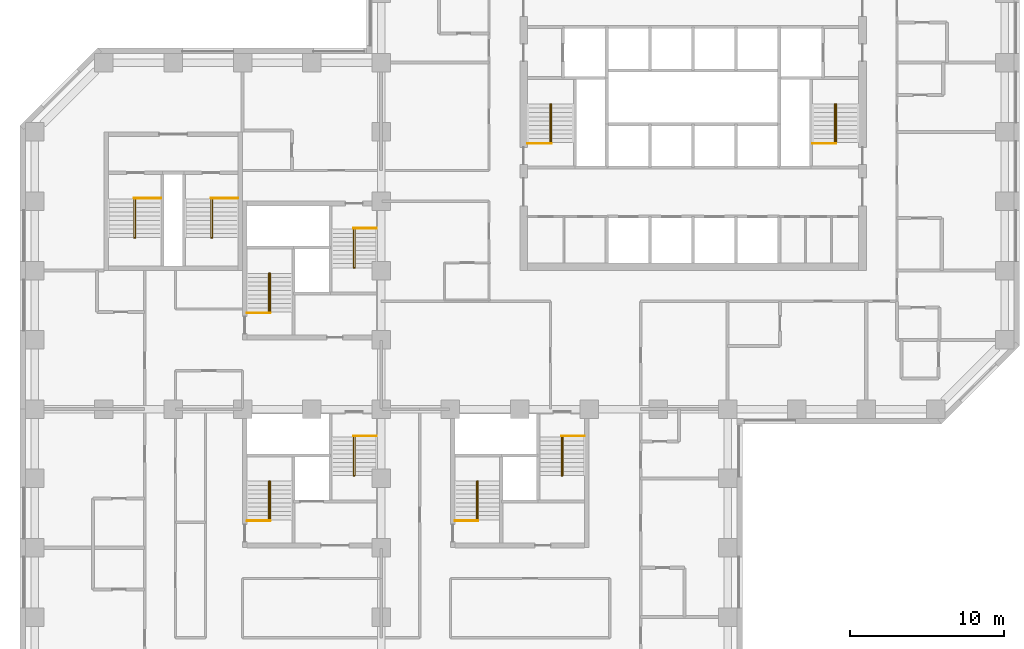
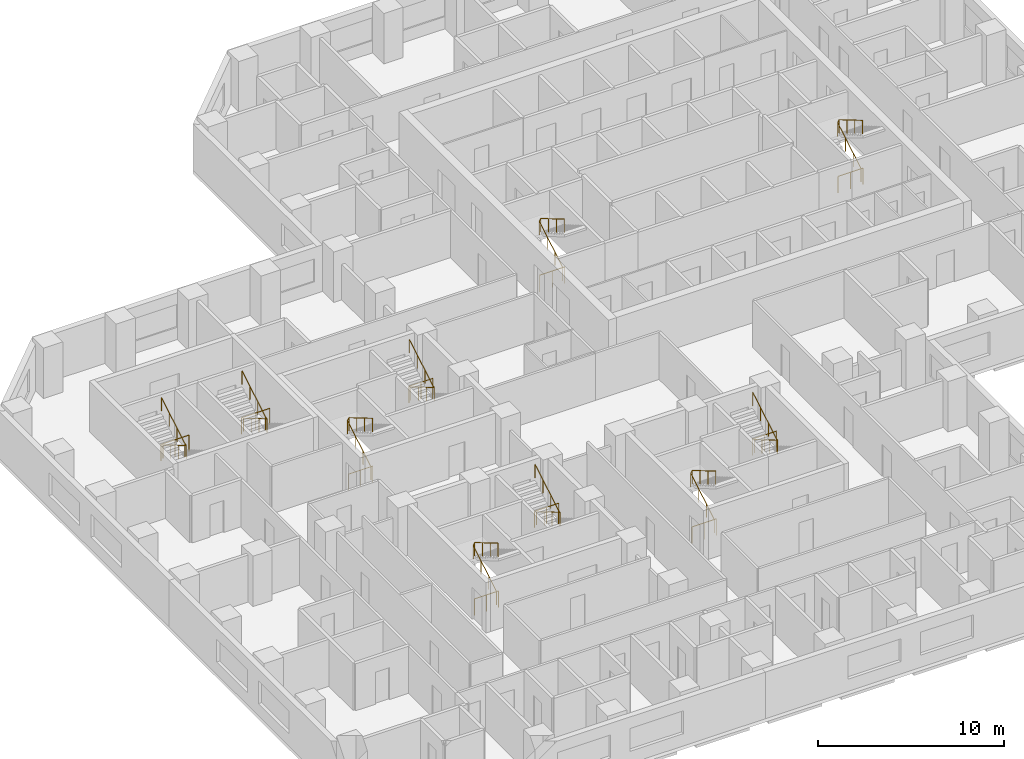
# One storey, part 12 of 12: 20 railings.
"""IFC4 building model written with IfcOpenShell, lengths in metres."""

from ifc_helpers import new_model, si_unit, direction, frame, origin, origin_2d, place, context, subcontext, project, spatial, circle, extrude, material, type_object, element, save


model = new_model("IFC4")

# Units and contexts
model_context = context("Model", 3, precision=1e-05, world=origin(), true_north=direction((0.0, 1.0)))
body_context = subcontext(model_context, "Body", "Model", "MODEL_VIEW")
ifc_project = project(units=[si_unit("LENGTHUNIT", "METRE"), si_unit("AREAUNIT", "SQUARE_METRE"), si_unit("VOLUMEUNIT", "CUBIC_METRE"), si_unit("PLANEANGLEUNIT", "RADIAN"), si_unit("MASSUNIT", "GRAM", prefix="KILO")], contexts=[model_context])

# Site, building, storey
site_placement = place(None, origin())
site = spatial("IfcSite", under=ifc_project, at=site_placement, CompositionType="ELEMENT")
building_placement = place(site_placement, origin())
building = spatial("IfcBuilding", under=site, at=building_placement, Name="Quoin Convention Tower", CompositionType="ELEMENT")
storey_placement = place(building_placement, frame((0.0, 0.0, 29.699951171875)))
storey = spatial("IfcBuildingStorey", under=building, at=storey_placement, Name="L06", CompositionType="ELEMENT", Elevation=29.699951171875)

# Railings
ifc_material = material(Name="Stainless steel", Category="steel")
railing_type_1 = type_object("IfcRailingType", Name="Stair handrail 900", PredefinedType="HANDRAIL", material=ifc_material)
for number, where, name in (
    (1, (46.955078125, 57.800048828125, 0.1650390625), "SD1 handrail 1"),
    (2, (65.455078125, 57.800048828125, 0.1650390625), "SD2 handrail 1"),
    (3, (28.705078125, 46.800048828125, 0.1650390625), "SD3 handrail 1"),
):
    element("IfcRailing", number, at=place(storey_placement, frame(where)), inside=storey, type_object=railing_type_1, Name=name, PredefinedType="HANDRAIL", context=body_context, shape_type="SweptSolid", body=[
        extrude(circle(Radius=0.02392578125, at=origin_2d()), frame((0.0, 0.0, 0.8759765625), z_axis=(0.0, 0.86152411907, 0.507716645641), x_axis=(-1.0, 0.0, 0.0)), (0.0, 0.0, 1.0), 2.925048828125),
        extrude(circle(Radius=0.02392578125, at=origin_2d()), frame((0.0, 2.52001953125, 2.36083984375), z_axis=(0.478669852, 0.0, 0.877994973098), x_axis=(0.0, 1.0, 0.0)), (0.0, 0.0, 1.0), 0.187744140625),
        extrude(circle(Radius=0.02392578125, at=origin_2d()), frame((0.08984375, 2.52001953125, 2.52587890625), z_axis=(0.0, -0.86152411907, 0.507716645641), x_axis=(1.0, 0.0, 0.0)), (0.0, 0.0, 1.0), 2.925048828125),
        extrude(circle(Radius=0.02099609375, at=origin_2d()), origin(), (0.0, 0.0, 1.0), 0.851806640625),
        extrude(circle(Radius=0.02099609375, at=origin_2d()), frame((0.0, 0.840087890625, 0.4951171875)), (0.0, 0.0, 1.0), 0.851806640625),
        extrude(circle(Radius=0.02099609375, at=origin_2d()), frame((0.0, 1.679931640625, 0.989990234375)), (0.0, 0.0, 1.0), 0.851806640625),
        extrude(circle(Radius=0.02099609375, at=origin_2d()), frame((0.0, 2.52001953125, 1.485107421875)), (0.0, 0.0, 1.0), 0.851806640625),
        extrude(circle(Radius=0.02099609375, at=origin_2d()), frame((0.08984375, 2.52001953125, 1.64990234375)), (0.0, 0.0, 1.0), 0.851806640625),
        extrude(circle(Radius=0.02099609375, at=origin_2d()), frame((0.08984375, 1.679931640625, 2.14501953125)), (0.0, 0.0, 1.0), 0.851806640625),
        extrude(circle(Radius=0.02099609375, at=origin_2d()), frame((0.08984375, 0.840087890625, 2.639892578125)), (0.0, 0.0, 1.0), 0.851806640625),
        extrude(circle(Radius=0.02099609375, at=origin_2d()), frame((0.08984375, 0.0, 3.135009765625)), (0.0, 0.0, 1.0), 0.851806640625),
    ])
railing_1_placement = place(storey_placement, frame((34.294921875, 52.199951171875, 0.1650390625)))
element("IfcRailing", 4, at=railing_1_placement, inside=storey, type_object=railing_type_1, Name="SD4 handrail 1", PredefinedType="HANDRAIL", context=body_context, shape_type="SweptSolid", body=[
    extrude(circle(Radius=0.02392578125, at=origin_2d()), frame((0.0, 0.0, 0.8759765625), z_axis=(0.0, -0.86152411907, 0.507716645641), x_axis=(1.0, 0.0, 0.0)), (0.0, 0.0, 1.0), 2.925048828125),
    extrude(circle(Radius=0.02392578125, at=origin_2d()), frame((0.0, -2.52001953125, 2.36083984375), z_axis=(-0.478669852, 0.0, 0.877994973098), x_axis=(0.0, -1.0, 0.0)), (0.0, 0.0, 1.0), 0.187744140625),
    extrude(circle(Radius=0.02392578125, at=origin_2d()), frame((-0.08984375, -2.52001953125, 2.52587890625), z_axis=(0.0, 0.86152411907, 0.507716645641), x_axis=(-1.0, 0.0, 0.0)), (0.0, 0.0, 1.0), 2.925048828125),
    extrude(circle(Radius=0.02099609375, at=origin_2d()), origin(), (0.0, 0.0, 1.0), 0.851806640625),
    extrude(circle(Radius=0.02099609375, at=origin_2d()), frame((0.0, -0.840087890625, 0.4951171875)), (0.0, 0.0, 1.0), 0.851806640625),
    extrude(circle(Radius=0.02099609375, at=origin_2d()), frame((0.0, -1.679931640625, 0.989990234375)), (0.0, 0.0, 1.0), 0.851806640625),
    extrude(circle(Radius=0.02099609375, at=origin_2d()), frame((0.0, -2.52001953125, 1.485107421875)), (0.0, 0.0, 1.0), 0.851806640625),
    extrude(circle(Radius=0.02099609375, at=origin_2d()), frame((-0.08984375, -2.52001953125, 1.64990234375)), (0.0, 0.0, 1.0), 0.851806640625),
    extrude(circle(Radius=0.02099609375, at=origin_2d()), frame((-0.08984375, -1.679931640625, 2.14501953125)), (0.0, 0.0, 1.0), 0.851806640625),
    extrude(circle(Radius=0.02099609375, at=origin_2d()), frame((-0.08984375, -0.840087890625, 2.639892578125)), (0.0, 0.0, 1.0), 0.851806640625),
    extrude(circle(Radius=0.02099609375, at=origin_2d()), frame((-0.08984375, 0.0, 3.135009765625)), (0.0, 0.0, 1.0), 0.851806640625),
])
railing_2_placement = place(storey_placement, frame((42.205078125, 33.300048828125, 0.1650390625)))
element("IfcRailing", 5, at=railing_2_placement, inside=storey, type_object=railing_type_1, Name="SD5 handrail 1", PredefinedType="HANDRAIL", context=body_context, shape_type="SweptSolid", body=[
    extrude(circle(Radius=0.02392578125, at=origin_2d()), frame((0.0, 0.0, 0.8759765625), z_axis=(0.0, 0.86152411907, 0.507716645641), x_axis=(-1.0, 0.0, 0.0)), (0.0, 0.0, 1.0), 2.925048828125),
    extrude(circle(Radius=0.02392578125, at=origin_2d()), frame((0.0, 2.52001953125, 2.36083984375), z_axis=(0.478669852, 0.0, 0.877994973098), x_axis=(0.0, 1.0, 0.0)), (0.0, 0.0, 1.0), 0.187744140625),
    extrude(circle(Radius=0.02392578125, at=origin_2d()), frame((0.08984375, 2.52001953125, 2.52587890625), z_axis=(0.0, -0.86152411907, 0.507716645641), x_axis=(1.0, 0.0, 0.0)), (0.0, 0.0, 1.0), 2.925048828125),
    extrude(circle(Radius=0.02099609375, at=origin_2d()), origin(), (0.0, 0.0, 1.0), 0.851806640625),
    extrude(circle(Radius=0.02099609375, at=origin_2d()), frame((0.0, 0.840087890625, 0.4951171875)), (0.0, 0.0, 1.0), 0.851806640625),
    extrude(circle(Radius=0.02099609375, at=origin_2d()), frame((0.0, 1.679931640625, 0.989990234375)), (0.0, 0.0, 1.0), 0.851806640625),
    extrude(circle(Radius=0.02099609375, at=origin_2d()), frame((0.0, 2.52001953125, 1.485107421875)), (0.0, 0.0, 1.0), 0.851806640625),
    extrude(circle(Radius=0.02099609375, at=origin_2d()), frame((0.08984375, 2.52001953125, 1.64990234375)), (0.0, 0.0, 1.0), 0.851806640625),
    extrude(circle(Radius=0.02099609375, at=origin_2d()), frame((0.08984375, 1.679931640625, 2.14501953125)), (0.0, 0.0, 1.0), 0.851806640625),
    extrude(circle(Radius=0.02099609375, at=origin_2d()), frame((0.08984375, 0.840087890625, 2.639892578125)), (0.0, 0.0, 1.0), 0.851806640625),
    extrude(circle(Radius=0.02099609375, at=origin_2d()), frame((0.08984375, 0.0, 3.135009765625)), (0.0, 0.0, 1.0), 0.851806640625),
])
railing_3_placement = place(storey_placement, frame((47.794921875, 38.699951171875, 0.1650390625)))
element("IfcRailing", 6, at=railing_3_placement, inside=storey, type_object=railing_type_1, Name="SD6 handrail 1", PredefinedType="HANDRAIL", context=body_context, shape_type="SweptSolid", body=[
    extrude(circle(Radius=0.02392578125, at=origin_2d()), frame((0.0, 0.0, 0.8759765625), z_axis=(0.0, -0.86152411907, 0.507716645641), x_axis=(1.0, 0.0, 0.0)), (0.0, 0.0, 1.0), 2.925048828125),
    extrude(circle(Radius=0.02392578125, at=origin_2d()), frame((0.0, -2.52001953125, 2.36083984375), z_axis=(-0.478669852, 0.0, 0.877994973098), x_axis=(0.0, -1.0, 0.0)), (0.0, 0.0, 1.0), 0.187744140625),
    extrude(circle(Radius=0.02392578125, at=origin_2d()), frame((-0.08984375, -2.52001953125, 2.52587890625), z_axis=(0.0, 0.86152411907, 0.507716645641), x_axis=(-1.0, 0.0, 0.0)), (0.0, 0.0, 1.0), 2.925048828125),
    extrude(circle(Radius=0.02099609375, at=origin_2d()), origin(), (0.0, 0.0, 1.0), 0.851806640625),
    extrude(circle(Radius=0.02099609375, at=origin_2d()), frame((0.0, -0.840087890625, 0.4951171875)), (0.0, 0.0, 1.0), 0.851806640625),
    extrude(circle(Radius=0.02099609375, at=origin_2d()), frame((0.0, -1.679931640625, 0.989990234375)), (0.0, 0.0, 1.0), 0.851806640625),
    extrude(circle(Radius=0.02099609375, at=origin_2d()), frame((0.0, -2.52001953125, 1.485107421875)), (0.0, 0.0, 1.0), 0.851806640625),
    extrude(circle(Radius=0.02099609375, at=origin_2d()), frame((-0.08984375, -2.52001953125, 1.64990234375)), (0.0, 0.0, 1.0), 0.851806640625),
    extrude(circle(Radius=0.02099609375, at=origin_2d()), frame((-0.08984375, -1.679931640625, 2.14501953125)), (0.0, 0.0, 1.0), 0.851806640625),
    extrude(circle(Radius=0.02099609375, at=origin_2d()), frame((-0.08984375, -0.840087890625, 2.639892578125)), (0.0, 0.0, 1.0), 0.851806640625),
    extrude(circle(Radius=0.02099609375, at=origin_2d()), frame((-0.08984375, 0.0, 3.135009765625)), (0.0, 0.0, 1.0), 0.851806640625),
])
railing_4_placement = place(storey_placement, frame((28.705078125, 33.300048828125, 0.1650390625)))
element("IfcRailing", 7, at=railing_4_placement, inside=storey, type_object=railing_type_1, Name="SD7 handrail 1", PredefinedType="HANDRAIL", context=body_context, shape_type="SweptSolid", body=[
    extrude(circle(Radius=0.02392578125, at=origin_2d()), frame((0.0, 0.0, 0.8759765625), z_axis=(0.0, 0.86152411907, 0.507716645641), x_axis=(-1.0, 0.0, 0.0)), (0.0, 0.0, 1.0), 2.925048828125),
    extrude(circle(Radius=0.02392578125, at=origin_2d()), frame((0.0, 2.52001953125, 2.36083984375), z_axis=(0.478669852, 0.0, 0.877994973098), x_axis=(0.0, 1.0, 0.0)), (0.0, 0.0, 1.0), 0.187744140625),
    extrude(circle(Radius=0.02392578125, at=origin_2d()), frame((0.08984375, 2.52001953125, 2.52587890625), z_axis=(0.0, -0.86152411907, 0.507716645641), x_axis=(1.0, 0.0, 0.0)), (0.0, 0.0, 1.0), 2.925048828125),
    extrude(circle(Radius=0.02099609375, at=origin_2d()), origin(), (0.0, 0.0, 1.0), 0.851806640625),
    extrude(circle(Radius=0.02099609375, at=origin_2d()), frame((0.0, 0.840087890625, 0.4951171875)), (0.0, 0.0, 1.0), 0.851806640625),
    extrude(circle(Radius=0.02099609375, at=origin_2d()), frame((0.0, 1.679931640625, 0.989990234375)), (0.0, 0.0, 1.0), 0.851806640625),
    extrude(circle(Radius=0.02099609375, at=origin_2d()), frame((0.0, 2.52001953125, 1.485107421875)), (0.0, 0.0, 1.0), 0.851806640625),
    extrude(circle(Radius=0.02099609375, at=origin_2d()), frame((0.08984375, 2.52001953125, 1.64990234375)), (0.0, 0.0, 1.0), 0.851806640625),
    extrude(circle(Radius=0.02099609375, at=origin_2d()), frame((0.08984375, 1.679931640625, 2.14501953125)), (0.0, 0.0, 1.0), 0.851806640625),
    extrude(circle(Radius=0.02099609375, at=origin_2d()), frame((0.08984375, 0.840087890625, 2.639892578125)), (0.0, 0.0, 1.0), 0.851806640625),
    extrude(circle(Radius=0.02099609375, at=origin_2d()), frame((0.08984375, 0.0, 3.135009765625)), (0.0, 0.0, 1.0), 0.851806640625),
])
for number, where, name in (
    (8, (34.294921875, 38.699951171875, 0.1650390625), "SD8 handrail 1"),
    (9, (20.044921875, 54.14990234375, 0.1650390625), "SD11 handrail 1"),
    (10, (25.044921875, 54.14990234375, 0.1650390625), "SD12 handrail 1"),
):
    element("IfcRailing", number, at=place(storey_placement, frame(where)), inside=storey, type_object=railing_type_1, Name=name, PredefinedType="HANDRAIL", context=body_context, shape_type="SweptSolid", body=[
        extrude(circle(Radius=0.02392578125, at=origin_2d()), frame((0.0, 0.0, 0.8759765625), z_axis=(0.0, -0.86152411907, 0.507716645641), x_axis=(1.0, 0.0, 0.0)), (0.0, 0.0, 1.0), 2.925048828125),
        extrude(circle(Radius=0.02392578125, at=origin_2d()), frame((0.0, -2.52001953125, 2.36083984375), z_axis=(-0.478669852, 0.0, 0.877994973098), x_axis=(0.0, -1.0, 0.0)), (0.0, 0.0, 1.0), 0.187744140625),
        extrude(circle(Radius=0.02392578125, at=origin_2d()), frame((-0.08984375, -2.52001953125, 2.52587890625), z_axis=(0.0, 0.86152411907, 0.507716645641), x_axis=(-1.0, 0.0, 0.0)), (0.0, 0.0, 1.0), 2.925048828125),
        extrude(circle(Radius=0.02099609375, at=origin_2d()), origin(), (0.0, 0.0, 1.0), 0.851806640625),
        extrude(circle(Radius=0.02099609375, at=origin_2d()), frame((0.0, -0.840087890625, 0.4951171875)), (0.0, 0.0, 1.0), 0.851806640625),
        extrude(circle(Radius=0.02099609375, at=origin_2d()), frame((0.0, -1.679931640625, 0.989990234375)), (0.0, 0.0, 1.0), 0.851806640625),
        extrude(circle(Radius=0.02099609375, at=origin_2d()), frame((0.0, -2.52001953125, 1.485107421875)), (0.0, 0.0, 1.0), 0.851806640625),
        extrude(circle(Radius=0.02099609375, at=origin_2d()), frame((-0.08984375, -2.52001953125, 1.64990234375)), (0.0, 0.0, 1.0), 0.851806640625),
        extrude(circle(Radius=0.02099609375, at=origin_2d()), frame((-0.08984375, -1.679931640625, 2.14501953125)), (0.0, 0.0, 1.0), 0.851806640625),
        extrude(circle(Radius=0.02099609375, at=origin_2d()), frame((-0.08984375, -0.840087890625, 2.639892578125)), (0.0, 0.0, 1.0), 0.851806640625),
        extrude(circle(Radius=0.02099609375, at=origin_2d()), frame((-0.08984375, 0.0, 3.135009765625)), (0.0, 0.0, 1.0), 0.851806640625),
    ])
railing_type_2 = type_object("IfcRailingType", Name="Stair top guard 1100", PredefinedType="GUARDRAIL", material=ifc_material)
for number, where, name in (
    (11, (45.5, 57.75, 0.0), "SD1 top guard"),
    (12, (64.0, 57.75, 0.0), "SD2 top guard"),
):
    element("IfcRailing", number, at=place(storey_placement, frame(where)), inside=storey, type_object=railing_type_2, Name=name, PredefinedType="GUARDRAIL", context=body_context, shape_type="SweptSolid", body=[
        extrude(circle(Radius=0.02392578125, at=origin_2d()), frame((0.0, 0.0, 1.076171875), z_axis=(1.0, 0.0, 0.0), x_axis=(0.0, 1.0, 0.0)), (0.0, 0.0, 1.0), 1.544921875),
        extrude(circle(Radius=0.02099609375, at=origin_2d()), origin(), (0.0, 0.0, 1.0), 1.052001953125),
        extrude(circle(Radius=0.02099609375, at=origin_2d()), frame((0.7724609375, 0.0, 0.0)), (0.0, 0.0, 1.0), 1.052001953125),
        extrude(circle(Radius=0.02099609375, at=origin_2d()), frame((1.544921875, 0.0, 0.0)), (0.0, 0.0, 1.0), 1.052001953125),
    ])
railing_5_placement = place(storey_placement, frame((27.300048828125, 46.75, 0.0)))
element("IfcRailing", 13, at=railing_5_placement, inside=storey, type_object=railing_type_2, Name="SD3 top guard", PredefinedType="GUARDRAIL", context=body_context, shape_type="SweptSolid", body=[
    extrude(circle(Radius=0.02392578125, at=origin_2d()), frame((0.0, 0.0, 1.076171875), z_axis=(1.0, 0.0, 0.0), x_axis=(0.0, 1.0, 0.0)), (0.0, 0.0, 1.0), 1.494873046875),
    extrude(circle(Radius=0.02099609375, at=origin_2d()), origin(), (0.0, 0.0, 1.0), 1.052001953125),
    extrude(circle(Radius=0.02099609375, at=origin_2d()), frame((0.74755859375, 0.0, 0.0)), (0.0, 0.0, 1.0), 1.052001953125),
    extrude(circle(Radius=0.02099609375, at=origin_2d()), frame((1.494873046875, 0.0, 0.0)), (0.0, 0.0, 1.0), 1.052001953125),
])
railing_6_placement = place(storey_placement, frame((35.699951171875, 52.25, 0.0)))
element("IfcRailing", 14, at=railing_6_placement, inside=storey, type_object=railing_type_2, Name="SD4 top guard", PredefinedType="GUARDRAIL", context=body_context, shape_type="SweptSolid", body=[
    extrude(circle(Radius=0.02392578125, at=origin_2d()), frame((0.0, 0.0, 1.076171875), z_axis=(-1.0, 0.0, 0.0), x_axis=(0.0, -1.0, 0.0)), (0.0, 0.0, 1.0), 1.494873046875),
    extrude(circle(Radius=0.02099609375, at=origin_2d()), origin(), (0.0, 0.0, 1.0), 1.052001953125),
    extrude(circle(Radius=0.02099609375, at=origin_2d()), frame((-0.74755859375, 0.0, 0.0)), (0.0, 0.0, 1.0), 1.052001953125),
    extrude(circle(Radius=0.02099609375, at=origin_2d()), frame((-1.494873046875, 0.0, 0.0)), (0.0, 0.0, 1.0), 1.052001953125),
])
railing_7_placement = place(storey_placement, frame((40.800048828125, 33.25, 0.0)))
element("IfcRailing", 15, at=railing_7_placement, inside=storey, type_object=railing_type_2, Name="SD5 top guard", PredefinedType="GUARDRAIL", context=body_context, shape_type="SweptSolid", body=[
    extrude(circle(Radius=0.02392578125, at=origin_2d()), frame((0.0, 0.0, 1.076171875), z_axis=(1.0, 0.0, 0.0), x_axis=(0.0, 1.0, 0.0)), (0.0, 0.0, 1.0), 1.494873046875),
    extrude(circle(Radius=0.02099609375, at=origin_2d()), origin(), (0.0, 0.0, 1.0), 1.052001953125),
    extrude(circle(Radius=0.02099609375, at=origin_2d()), frame((0.74755859375, 0.0, 0.0)), (0.0, 0.0, 1.0), 1.052001953125),
    extrude(circle(Radius=0.02099609375, at=origin_2d()), frame((1.494873046875, 0.0, 0.0)), (0.0, 0.0, 1.0), 1.052001953125),
])
railing_8_placement = place(storey_placement, frame((49.199951171875, 38.75, 0.0)))
element("IfcRailing", 16, at=railing_8_placement, inside=storey, type_object=railing_type_2, Name="SD6 top guard", PredefinedType="GUARDRAIL", context=body_context, shape_type="SweptSolid", body=[
    extrude(circle(Radius=0.02392578125, at=origin_2d()), frame((0.0, 0.0, 1.076171875), z_axis=(-1.0, 0.0, 0.0), x_axis=(0.0, -1.0, 0.0)), (0.0, 0.0, 1.0), 1.494873046875),
    extrude(circle(Radius=0.02099609375, at=origin_2d()), origin(), (0.0, 0.0, 1.0), 1.052001953125),
    extrude(circle(Radius=0.02099609375, at=origin_2d()), frame((-0.74755859375, 0.0, 0.0)), (0.0, 0.0, 1.0), 1.052001953125),
    extrude(circle(Radius=0.02099609375, at=origin_2d()), frame((-1.494873046875, 0.0, 0.0)), (0.0, 0.0, 1.0), 1.052001953125),
])
railing_9_placement = place(storey_placement, frame((27.300048828125, 33.25, 0.0)))
element("IfcRailing", 17, at=railing_9_placement, inside=storey, type_object=railing_type_2, Name="SD7 top guard", PredefinedType="GUARDRAIL", context=body_context, shape_type="SweptSolid", body=[
    extrude(circle(Radius=0.02392578125, at=origin_2d()), frame((0.0, 0.0, 1.076171875), z_axis=(1.0, 0.0, 0.0), x_axis=(0.0, 1.0, 0.0)), (0.0, 0.0, 1.0), 1.494873046875),
    extrude(circle(Radius=0.02099609375, at=origin_2d()), origin(), (0.0, 0.0, 1.0), 1.052001953125),
    extrude(circle(Radius=0.02099609375, at=origin_2d()), frame((0.74755859375, 0.0, 0.0)), (0.0, 0.0, 1.0), 1.052001953125),
    extrude(circle(Radius=0.02099609375, at=origin_2d()), frame((1.494873046875, 0.0, 0.0)), (0.0, 0.0, 1.0), 1.052001953125),
])
railing_10_placement = place(storey_placement, frame((35.699951171875, 38.75, 0.0)))
element("IfcRailing", 18, at=railing_10_placement, inside=storey, type_object=railing_type_2, Name="SD8 top guard", PredefinedType="GUARDRAIL", context=body_context, shape_type="SweptSolid", body=[
    extrude(circle(Radius=0.02392578125, at=origin_2d()), frame((0.0, 0.0, 1.076171875), z_axis=(-1.0, 0.0, 0.0), x_axis=(0.0, -1.0, 0.0)), (0.0, 0.0, 1.0), 1.494873046875),
    extrude(circle(Radius=0.02099609375, at=origin_2d()), origin(), (0.0, 0.0, 1.0), 1.052001953125),
    extrude(circle(Radius=0.02099609375, at=origin_2d()), frame((-0.74755859375, 0.0, 0.0)), (0.0, 0.0, 1.0), 1.052001953125),
    extrude(circle(Radius=0.02099609375, at=origin_2d()), frame((-1.494873046875, 0.0, 0.0)), (0.0, 0.0, 1.0), 1.052001953125),
])
for number, where, name in (
    (19, (21.699951171875, 54.199951171875, 0.0), "SD11 top guard"),
    (20, (26.699951171875, 54.199951171875, 0.0), "SD12 top guard"),
):
    element("IfcRailing", number, at=place(storey_placement, frame(where)), inside=storey, type_object=railing_type_2, Name=name, PredefinedType="GUARDRAIL", context=body_context, shape_type="SweptSolid", body=[
        extrude(circle(Radius=0.02392578125, at=origin_2d()), frame((0.0, 0.0, 1.076171875), z_axis=(-1.0, 0.0, 0.0), x_axis=(0.0, -1.0, 0.0)), (0.0, 0.0, 1.0), 1.744873046875),
        extrude(circle(Radius=0.02099609375, at=origin_2d()), origin(), (0.0, 0.0, 1.0), 1.052001953125),
        extrude(circle(Radius=0.02099609375, at=origin_2d()), frame((-0.87255859375, 0.0, 0.0)), (0.0, 0.0, 1.0), 1.052001953125),
        extrude(circle(Radius=0.02099609375, at=origin_2d()), frame((-1.744873046875, 0.0, 0.0)), (0.0, 0.0, 1.0), 1.052001953125),
    ])

save(model, "model.ifc")
